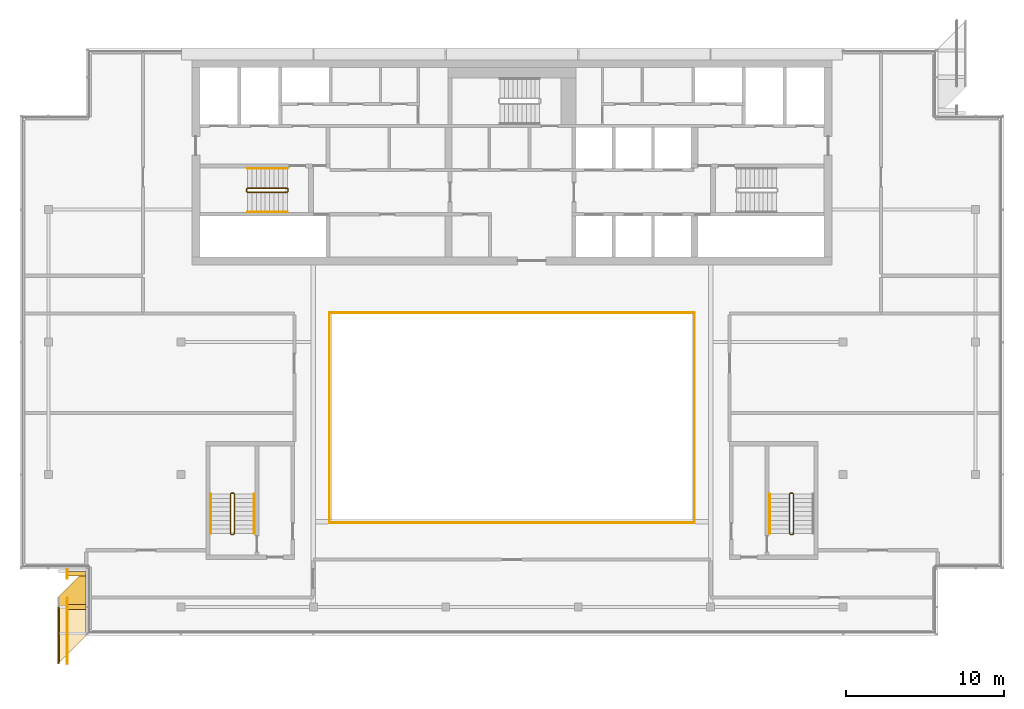
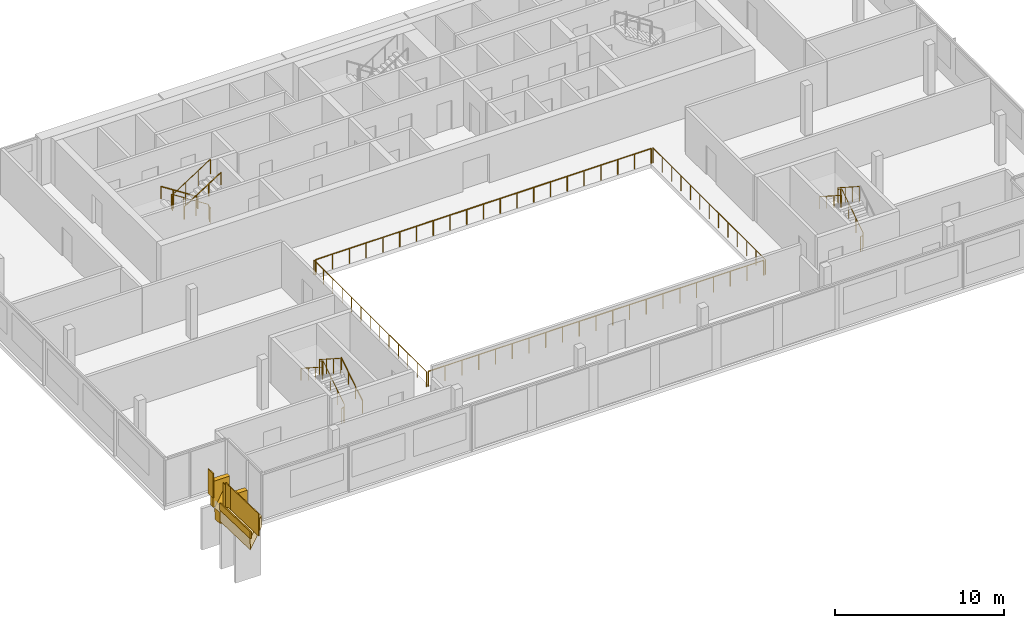
# One storey, part 17 of 19: 16 railings, 5 coverings.
"""IFC4 building model written with IfcOpenShell, lengths in metres."""

from ifc_helpers import new_model, si_unit, direction, frame, origin, origin_2d, place, context, subcontext, project, spatial, polyline, rectangle, circle, outline, extrude, material, layer, layer_set, type_object, element, save


model = new_model("IFC4")

# Units and contexts
model_context = context("Model", 3, precision=1e-05, world=origin(), true_north=direction((0.0, 1.0)))
body_context = subcontext(model_context, "Body", "Model", "MODEL_VIEW")
ifc_project = project(units=[si_unit("LENGTHUNIT", "METRE"), si_unit("AREAUNIT", "SQUARE_METRE"), si_unit("VOLUMEUNIT", "CUBIC_METRE"), si_unit("PLANEANGLEUNIT", "RADIAN"), si_unit("MASSUNIT", "GRAM", prefix="KILO")], contexts=[model_context])

# Site, building, storey
site_placement = place(None, origin())
site = spatial("IfcSite", under=ifc_project, at=site_placement, CompositionType="ELEMENT")
building_placement = place(site_placement, origin())
building = spatial("IfcBuilding", under=site, at=building_placement, Name="Saffron Gate Tower", CompositionType="ELEMENT")
storey_placement = place(building_placement, frame((0.0, 0.0, 306.75)))
storey = spatial("IfcBuildingStorey", under=building, at=storey_placement, Name="L75", CompositionType="ELEMENT", Elevation=306.75)

# Railings
ifc_material_1 = material(Name="Stainless steel and laminated glass", Category="steel")
railing_type_1 = type_object("IfcRailingType", Name="AG1 Atrium edge guard 1100", PredefinedType="GUARDRAIL", material=ifc_material_1)
railing_1_placement = place(storey_placement, frame((76.02001953125, 45.5400390625, 0.0)))
element("IfcRailing", 1, at=railing_1_placement, inside=storey, type_object=railing_type_1, Name="Guard E6-1", PredefinedType="GUARDRAIL", context=body_context, shape_type="SweptSolid", body=[
    extrude(circle(Radius=0.02392578125, at=origin_2d()), frame((0.0, 0.0, 1.076171875), z_axis=(0.0, 1.0, 0.0), x_axis=(-1.0, 0.0, 0.0)), (0.0, 0.0, 1.0), 13.320068359375),
    extrude(circle(Radius=0.02099609375, at=origin_2d()), origin(), (0.0, 0.0, 1.0), 1.052001953125),
    extrude(circle(Radius=0.02099609375, at=origin_2d()), frame((0.0, 1.110107421875, 0.0)), (0.0, 0.0, 1.0), 1.052001953125),
    extrude(circle(Radius=0.02099609375, at=origin_2d()), frame((0.0, 2.219970703125, 0.0)), (0.0, 0.0, 1.0), 1.052001953125),
    extrude(circle(Radius=0.02099609375, at=origin_2d()), frame((0.0, 3.330078125, 0.0)), (0.0, 0.0, 1.0), 1.052001953125),
    extrude(circle(Radius=0.02099609375, at=origin_2d()), frame((0.0, 4.43994140625, 0.0)), (0.0, 0.0, 1.0), 1.052001953125),
    extrude(circle(Radius=0.02099609375, at=origin_2d()), frame((0.0, 5.550048828125, 0.0)), (0.0, 0.0, 1.0), 1.052001953125),
    extrude(circle(Radius=0.02099609375, at=origin_2d()), frame((0.0, 6.66015625, 0.0)), (0.0, 0.0, 1.0), 1.052001953125),
    extrude(circle(Radius=0.02099609375, at=origin_2d()), frame((0.0, 7.77001953125, 0.0)), (0.0, 0.0, 1.0), 1.052001953125),
    extrude(circle(Radius=0.02099609375, at=origin_2d()), frame((0.0, 8.880126953125, 0.0)), (0.0, 0.0, 1.0), 1.052001953125),
    extrude(circle(Radius=0.02099609375, at=origin_2d()), frame((0.0, 9.989990234375, 0.0)), (0.0, 0.0, 1.0), 1.052001953125),
    extrude(circle(Radius=0.02099609375, at=origin_2d()), frame((0.0, 11.10009765625, 0.0)), (0.0, 0.0, 1.0), 1.052001953125),
    extrude(circle(Radius=0.02099609375, at=origin_2d()), frame((0.0, 12.2099609375, 0.0)), (0.0, 0.0, 1.0), 1.052001953125),
    extrude(circle(Radius=0.02099609375, at=origin_2d()), frame((0.0, 13.320068359375, 0.0)), (0.0, 0.0, 1.0), 1.052001953125),
])
railing_2_placement = place(storey_placement, frame((76.139892578125, 58.860107421875, 0.0)))
element("IfcRailing", 2, at=railing_2_placement, inside=storey, type_object=railing_type_1, Name="Guard E6-2", PredefinedType="GUARDRAIL", context=body_context, shape_type="SweptSolid", body=[
    extrude(circle(Radius=0.02392578125, at=origin_2d()), frame((0.0, 0.0, 1.076171875), z_axis=(1.0, 0.0, 0.0), x_axis=(0.0, 1.0, 0.0)), (0.0, 0.0, 1.0), 22.920166015625),
    extrude(circle(Radius=0.02099609375, at=origin_2d()), origin(), (0.0, 0.0, 1.0), 1.052001953125),
    extrude(circle(Radius=0.02099609375, at=origin_2d()), frame((1.14599609375, 0.0, 0.0)), (0.0, 0.0, 1.0), 1.052001953125),
    extrude(circle(Radius=0.02099609375, at=origin_2d()), frame((2.2919921875, 0.0, 0.0)), (0.0, 0.0, 1.0), 1.052001953125),
    extrude(circle(Radius=0.02099609375, at=origin_2d()), frame((3.43798828125, 0.0, 0.0)), (0.0, 0.0, 1.0), 1.052001953125),
    extrude(circle(Radius=0.02099609375, at=origin_2d()), frame((4.583984375, 0.0, 0.0)), (0.0, 0.0, 1.0), 1.052001953125),
    extrude(circle(Radius=0.02099609375, at=origin_2d()), frame((5.72998046875, 0.0, 0.0)), (0.0, 0.0, 1.0), 1.052001953125),
    extrude(circle(Radius=0.02099609375, at=origin_2d()), frame((6.8759765625, 0.0, 0.0)), (0.0, 0.0, 1.0), 1.052001953125),
    extrude(circle(Radius=0.02099609375, at=origin_2d()), frame((8.02197265625, 0.0, 0.0)), (0.0, 0.0, 1.0), 1.052001953125),
    extrude(circle(Radius=0.02099609375, at=origin_2d()), frame((9.16796875, 0.0, 0.0)), (0.0, 0.0, 1.0), 1.052001953125),
    extrude(circle(Radius=0.02099609375, at=origin_2d()), frame((10.31396484375, 0.0, 0.0)), (0.0, 0.0, 1.0), 1.052001953125),
    extrude(circle(Radius=0.02099609375, at=origin_2d()), frame((11.4599609375, 0.0, 0.0)), (0.0, 0.0, 1.0), 1.052001953125),
    extrude(circle(Radius=0.02099609375, at=origin_2d()), frame((12.606201171875, 0.0, 0.0)), (0.0, 0.0, 1.0), 1.052001953125),
    extrude(circle(Radius=0.02099609375, at=origin_2d()), frame((13.752197265625, 0.0, 0.0)), (0.0, 0.0, 1.0), 1.052001953125),
    extrude(circle(Radius=0.02099609375, at=origin_2d()), frame((14.898193359375, 0.0, 0.0)), (0.0, 0.0, 1.0), 1.052001953125),
    extrude(circle(Radius=0.02099609375, at=origin_2d()), frame((16.044189453125, 0.0, 0.0)), (0.0, 0.0, 1.0), 1.052001953125),
    extrude(circle(Radius=0.02099609375, at=origin_2d()), frame((17.190185546875, 0.0, 0.0)), (0.0, 0.0, 1.0), 1.052001953125),
    extrude(circle(Radius=0.02099609375, at=origin_2d()), frame((18.336181640625, 0.0, 0.0)), (0.0, 0.0, 1.0), 1.052001953125),
    extrude(circle(Radius=0.02099609375, at=origin_2d()), frame((19.482177734375, 0.0, 0.0)), (0.0, 0.0, 1.0), 1.052001953125),
    extrude(circle(Radius=0.02099609375, at=origin_2d()), frame((20.628173828125, 0.0, 0.0)), (0.0, 0.0, 1.0), 1.052001953125),
    extrude(circle(Radius=0.02099609375, at=origin_2d()), frame((21.774169921875, 0.0, 0.0)), (0.0, 0.0, 1.0), 1.052001953125),
    extrude(circle(Radius=0.02099609375, at=origin_2d()), frame((22.920166015625, 0.0, 0.0)), (0.0, 0.0, 1.0), 1.052001953125),
])
railing_3_placement = place(storey_placement, frame((99.179931640625, 58.860107421875, 0.0)))
element("IfcRailing", 3, at=railing_3_placement, inside=storey, type_object=railing_type_1, Name="Guard E6-3", PredefinedType="GUARDRAIL", context=body_context, shape_type="SweptSolid", body=[
    extrude(circle(Radius=0.02392578125, at=origin_2d()), frame((0.0, 0.0, 1.076171875), z_axis=(0.0, -1.0, 0.0), x_axis=(1.0, 0.0, 0.0)), (0.0, 0.0, 1.0), 13.320068359375),
    extrude(circle(Radius=0.02099609375, at=origin_2d()), origin(), (0.0, 0.0, 1.0), 1.052001953125),
    extrude(circle(Radius=0.02099609375, at=origin_2d()), frame((0.0, -1.110107421875, 0.0)), (0.0, 0.0, 1.0), 1.052001953125),
    extrude(circle(Radius=0.02099609375, at=origin_2d()), frame((0.0, -2.219970703125, 0.0)), (0.0, 0.0, 1.0), 1.052001953125),
    extrude(circle(Radius=0.02099609375, at=origin_2d()), frame((0.0, -3.330078125, 0.0)), (0.0, 0.0, 1.0), 1.052001953125),
    extrude(circle(Radius=0.02099609375, at=origin_2d()), frame((0.0, -4.43994140625, 0.0)), (0.0, 0.0, 1.0), 1.052001953125),
    extrude(circle(Radius=0.02099609375, at=origin_2d()), frame((0.0, -5.550048828125, 0.0)), (0.0, 0.0, 1.0), 1.052001953125),
    extrude(circle(Radius=0.02099609375, at=origin_2d()), frame((0.0, -6.66015625, 0.0)), (0.0, 0.0, 1.0), 1.052001953125),
    extrude(circle(Radius=0.02099609375, at=origin_2d()), frame((0.0, -7.77001953125, 0.0)), (0.0, 0.0, 1.0), 1.052001953125),
    extrude(circle(Radius=0.02099609375, at=origin_2d()), frame((0.0, -8.880126953125, 0.0)), (0.0, 0.0, 1.0), 1.052001953125),
    extrude(circle(Radius=0.02099609375, at=origin_2d()), frame((0.0, -9.989990234375, 0.0)), (0.0, 0.0, 1.0), 1.052001953125),
    extrude(circle(Radius=0.02099609375, at=origin_2d()), frame((0.0, -11.10009765625, 0.0)), (0.0, 0.0, 1.0), 1.052001953125),
    extrude(circle(Radius=0.02099609375, at=origin_2d()), frame((0.0, -12.2099609375, 0.0)), (0.0, 0.0, 1.0), 1.052001953125),
    extrude(circle(Radius=0.02099609375, at=origin_2d()), frame((0.0, -13.320068359375, 0.0)), (0.0, 0.0, 1.0), 1.052001953125),
])
railing_4_placement = place(storey_placement, frame((99.06005859375, 45.5400390625, 0.0)))
element("IfcRailing", 4, at=railing_4_placement, inside=storey, type_object=railing_type_1, Name="Guard E6-4", PredefinedType="GUARDRAIL", context=body_context, shape_type="SweptSolid", body=[
    extrude(circle(Radius=0.02392578125, at=origin_2d()), frame((0.0, 0.0, 1.076171875), z_axis=(-1.0, 0.0, 0.0), x_axis=(0.0, -1.0, 0.0)), (0.0, 0.0, 1.0), 22.920166015625),
    extrude(circle(Radius=0.02099609375, at=origin_2d()), origin(), (0.0, 0.0, 1.0), 1.052001953125),
    extrude(circle(Radius=0.02099609375, at=origin_2d()), frame((-1.14599609375, 0.0, 0.0)), (0.0, 0.0, 1.0), 1.052001953125),
    extrude(circle(Radius=0.02099609375, at=origin_2d()), frame((-2.2919921875, 0.0, 0.0)), (0.0, 0.0, 1.0), 1.052001953125),
    extrude(circle(Radius=0.02099609375, at=origin_2d()), frame((-3.43798828125, 0.0, 0.0)), (0.0, 0.0, 1.0), 1.052001953125),
    extrude(circle(Radius=0.02099609375, at=origin_2d()), frame((-4.583984375, 0.0, 0.0)), (0.0, 0.0, 1.0), 1.052001953125),
    extrude(circle(Radius=0.02099609375, at=origin_2d()), frame((-5.72998046875, 0.0, 0.0)), (0.0, 0.0, 1.0), 1.052001953125),
    extrude(circle(Radius=0.02099609375, at=origin_2d()), frame((-6.8759765625, 0.0, 0.0)), (0.0, 0.0, 1.0), 1.052001953125),
    extrude(circle(Radius=0.02099609375, at=origin_2d()), frame((-8.02197265625, 0.0, 0.0)), (0.0, 0.0, 1.0), 1.052001953125),
    extrude(circle(Radius=0.02099609375, at=origin_2d()), frame((-9.16796875, 0.0, 0.0)), (0.0, 0.0, 1.0), 1.052001953125),
    extrude(circle(Radius=0.02099609375, at=origin_2d()), frame((-10.31396484375, 0.0, 0.0)), (0.0, 0.0, 1.0), 1.052001953125),
    extrude(circle(Radius=0.02099609375, at=origin_2d()), frame((-11.4599609375, 0.0, 0.0)), (0.0, 0.0, 1.0), 1.052001953125),
    extrude(circle(Radius=0.02099609375, at=origin_2d()), frame((-12.606201171875, 0.0, 0.0)), (0.0, 0.0, 1.0), 1.052001953125),
    extrude(circle(Radius=0.02099609375, at=origin_2d()), frame((-13.752197265625, 0.0, 0.0)), (0.0, 0.0, 1.0), 1.052001953125),
    extrude(circle(Radius=0.02099609375, at=origin_2d()), frame((-14.898193359375, 0.0, 0.0)), (0.0, 0.0, 1.0), 1.052001953125),
    extrude(circle(Radius=0.02099609375, at=origin_2d()), frame((-16.044189453125, 0.0, 0.0)), (0.0, 0.0, 1.0), 1.052001953125),
    extrude(circle(Radius=0.02099609375, at=origin_2d()), frame((-17.190185546875, 0.0, 0.0)), (0.0, 0.0, 1.0), 1.052001953125),
    extrude(circle(Radius=0.02099609375, at=origin_2d()), frame((-18.336181640625, 0.0, 0.0)), (0.0, 0.0, 1.0), 1.052001953125),
    extrude(circle(Radius=0.02099609375, at=origin_2d()), frame((-19.482177734375, 0.0, 0.0)), (0.0, 0.0, 1.0), 1.052001953125),
    extrude(circle(Radius=0.02099609375, at=origin_2d()), frame((-20.628173828125, 0.0, 0.0)), (0.0, 0.0, 1.0), 1.052001953125),
    extrude(circle(Radius=0.02099609375, at=origin_2d()), frame((-21.774169921875, 0.0, 0.0)), (0.0, 0.0, 1.0), 1.052001953125),
    extrude(circle(Radius=0.02099609375, at=origin_2d()), frame((-22.920166015625, 0.0, 0.0)), (0.0, 0.0, 1.0), 1.052001953125),
])
railing_type_2 = type_object("IfcRailingType", Name="CR1 Stair guard 1100", PredefinedType="GUARDRAIL", material=ifc_material_1)
railing_5_placement = place(storey_placement, frame((73.39990234375, 66.550048828125, 0.0)))
element("IfcRailing", 5, at=railing_5_placement, inside=storey, type_object=railing_type_2, Name="L75 ST-A stair guard 1", PredefinedType="GUARDRAIL", context=body_context, shape_type="SweptSolid", body=[
    extrude(circle(Radius=0.02392578125, at=origin_2d()), frame((0.0, 0.0, 1.076171875), z_axis=(0.0, 1.0, 0.0), x_axis=(-1.0, 0.0, 0.0)), (0.0, 0.0, 1.0), 0.14990234375),
    extrude(circle(Radius=0.02392578125, at=origin_2d()), frame((0.0, 0.14990234375, 1.076171875), z_axis=(-0.257669022063, 0.258932105505, 0.930892496375), x_axis=(-0.708833529934, -0.705375805398, 0.0)), (0.0, 0.0, 1.0), 0.193359375),
    extrude(circle(Radius=0.02392578125, at=origin_2d()), frame((-0.0498046875, 0.199951171875, 1.255859375), z_axis=(-0.841162588446, 0.0, 0.540782303519), x_axis=(0.0, -1.0, 0.0)), (0.0, 0.0, 1.0), 2.995849609375),
    extrude(circle(Radius=0.02392578125, at=origin_2d()), frame((-2.56982421875, 0.199951171875, 2.8759765625), z_axis=(-0.707106781187, -0.707106781187, 0.0), x_axis=(0.707106781187, -0.707106781187, 0.0)), (0.0, 0.0, 1.0), 0.07080078125),
    extrude(circle(Radius=0.02392578125, at=origin_2d()), frame((-2.619873046875, 0.14990234375, 2.8759765625), z_axis=(0.0, -1.0, 0.0), x_axis=(1.0, 0.0, 0.0)), (0.0, 0.0, 1.0), 0.14990234375),
    extrude(circle(Radius=0.02392578125, at=origin_2d()), frame((-2.619873046875, 0.0, 2.8759765625), z_axis=(0.258847668887, -0.258847668887, 0.930588936439), x_axis=(0.707106781187, 0.707106781187, 0.0)), (0.0, 0.0, 1.0), 0.193359375),
    extrude(circle(Radius=0.02392578125, at=origin_2d()), frame((-2.56982421875, -0.050048828125, 3.05615234375), z_axis=(0.841162588446, 0.0, 0.540782303519), x_axis=(0.0, 1.0, 0.0)), (0.0, 0.0, 1.0), 2.995849609375),
    extrude(circle(Radius=0.02099609375, at=origin_2d()), origin(), (0.0, 0.0, 1.0), 1.052001953125),
    extrude(circle(Radius=0.02099609375, at=origin_2d()), frame((0.0, 0.14990234375, 0.0)), (0.0, 0.0, 1.0), 1.052001953125),
    extrude(circle(Radius=0.02099609375, at=origin_2d()), frame((-0.0498046875, 0.199951171875, 0.179931640625)), (0.0, 0.0, 1.0), 1.052001953125),
    extrude(circle(Radius=0.02099609375, at=origin_2d()), frame((-0.889892578125, 0.199951171875, 0.719970703125)), (0.0, 0.0, 1.0), 1.052001953125),
    extrude(circle(Radius=0.02099609375, at=origin_2d()), frame((-1.729736328125, 0.199951171875, 1.260009765625)), (0.0, 0.0, 1.0), 1.052001953125),
    extrude(circle(Radius=0.02099609375, at=origin_2d()), frame((-2.56982421875, 0.199951171875, 1.800048828125)), (0.0, 0.0, 1.0), 1.052001953125),
    extrude(circle(Radius=0.02099609375, at=origin_2d()), frame((-2.619873046875, 0.14990234375, 1.800048828125)), (0.0, 0.0, 1.0), 1.052001953125),
    extrude(circle(Radius=0.02099609375, at=origin_2d()), frame((-2.619873046875, 0.0, 1.800048828125)), (0.0, 0.0, 1.0), 1.052001953125),
    extrude(circle(Radius=0.02099609375, at=origin_2d()), frame((-2.56982421875, -0.050048828125, 1.97998046875)), (0.0, 0.0, 1.0), 1.052001953125),
    extrude(circle(Radius=0.02099609375, at=origin_2d()), frame((-1.729736328125, -0.050048828125, 2.52001953125)), (0.0, 0.0, 1.0), 1.052001953125),
    extrude(circle(Radius=0.02099609375, at=origin_2d()), frame((-0.889892578125, -0.050048828125, 3.06005859375)), (0.0, 0.0, 1.0), 1.052001953125),
    extrude(circle(Radius=0.02099609375, at=origin_2d()), frame((-0.0498046875, -0.050048828125, 3.60009765625)), (0.0, 0.0, 1.0), 1.052001953125),
])
railing_6_placement = place(storey_placement, frame((69.800048828125, 44.800048828125, 0.0)))
element("IfcRailing", 6, at=railing_6_placement, inside=storey, type_object=railing_type_2, Name="L75 ST-D stair guard 1", PredefinedType="GUARDRAIL", context=body_context, shape_type="SweptSolid", body=[
    extrude(circle(Radius=0.02392578125, at=origin_2d()), frame((0.0, 0.0, 1.076171875), z_axis=(1.0, 0.0, 0.0), x_axis=(0.0, 1.0, 0.0)), (0.0, 0.0, 1.0), 0.14990234375),
    extrude(circle(Radius=0.02392578125, at=origin_2d()), frame((0.14990234375, 0.0, 1.076171875), z_axis=(0.258847668887, 0.258847668887, 0.930588936439), x_axis=(-0.707106781187, 0.707106781187, 0.0)), (0.0, 0.0, 1.0), 0.193359375),
    extrude(circle(Radius=0.02392578125, at=origin_2d()), frame((0.199951171875, 0.050048828125, 1.255859375), z_axis=(0.0, 0.841162588446, 0.540782303519), x_axis=(-1.0, 0.0, 0.0)), (0.0, 0.0, 1.0), 2.995849609375),
    extrude(circle(Radius=0.02392578125, at=origin_2d()), frame((0.199951171875, 2.570068359375, 2.8759765625), z_axis=(-0.708833529934, 0.705375805398, 0.0), x_axis=(-0.705375805398, -0.708833529934, 0.0)), (0.0, 0.0, 1.0), 0.070556640625),
    extrude(circle(Radius=0.02392578125, at=origin_2d()), frame((0.14990234375, 2.619873046875, 2.8759765625), z_axis=(-1.0, 0.0, 0.0), x_axis=(0.0, -1.0, 0.0)), (0.0, 0.0, 1.0), 0.14990234375),
    extrude(circle(Radius=0.02392578125, at=origin_2d()), frame((0.0, 2.619873046875, 2.8759765625), z_axis=(-0.258932105505, -0.257669022063, 0.930892496375), x_axis=(0.705375805398, -0.708833529934, 0.0)), (0.0, 0.0, 1.0), 0.193359375),
    extrude(circle(Radius=0.02392578125, at=origin_2d()), frame((-0.050048828125, 2.570068359375, 3.05615234375), z_axis=(0.0, -0.841162588446, 0.540782303519), x_axis=(1.0, 0.0, 0.0)), (0.0, 0.0, 1.0), 2.995849609375),
    extrude(circle(Radius=0.02099609375, at=origin_2d()), origin(), (0.0, 0.0, 1.0), 1.052001953125),
    extrude(circle(Radius=0.02099609375, at=origin_2d()), frame((0.14990234375, 0.0, 0.0)), (0.0, 0.0, 1.0), 1.052001953125),
    extrude(circle(Radius=0.02099609375, at=origin_2d()), frame((0.199951171875, 0.050048828125, 0.179931640625)), (0.0, 0.0, 1.0), 1.052001953125),
    extrude(circle(Radius=0.02099609375, at=origin_2d()), frame((0.199951171875, 0.89013671875, 0.719970703125)), (0.0, 0.0, 1.0), 1.052001953125),
    extrude(circle(Radius=0.02099609375, at=origin_2d()), frame((0.199951171875, 1.72998046875, 1.260009765625)), (0.0, 0.0, 1.0), 1.052001953125),
    extrude(circle(Radius=0.02099609375, at=origin_2d()), frame((0.199951171875, 2.570068359375, 1.800048828125)), (0.0, 0.0, 1.0), 1.052001953125),
    extrude(circle(Radius=0.02099609375, at=origin_2d()), frame((0.14990234375, 2.619873046875, 1.800048828125)), (0.0, 0.0, 1.0), 1.052001953125),
    extrude(circle(Radius=0.02099609375, at=origin_2d()), frame((0.0, 2.619873046875, 1.800048828125)), (0.0, 0.0, 1.0), 1.052001953125),
    extrude(circle(Radius=0.02099609375, at=origin_2d()), frame((-0.050048828125, 2.570068359375, 1.97998046875)), (0.0, 0.0, 1.0), 1.052001953125),
    extrude(circle(Radius=0.02099609375, at=origin_2d()), frame((-0.050048828125, 1.72998046875, 2.52001953125)), (0.0, 0.0, 1.0), 1.052001953125),
    extrude(circle(Radius=0.02099609375, at=origin_2d()), frame((-0.050048828125, 0.89013671875, 3.06005859375)), (0.0, 0.0, 1.0), 1.052001953125),
    extrude(circle(Radius=0.02099609375, at=origin_2d()), frame((-0.050048828125, 0.050048828125, 3.60009765625)), (0.0, 0.0, 1.0), 1.052001953125),
])
railing_7_placement = place(storey_placement, frame((105.25, 44.800048828125, 0.0)))
element("IfcRailing", 7, at=railing_7_placement, inside=storey, type_object=railing_type_2, Name="L75 ST-E stair guard 1", PredefinedType="GUARDRAIL", context=body_context, shape_type="SweptSolid", body=[
    extrude(circle(Radius=0.02392578125, at=origin_2d()), frame((0.0, 0.0, 1.076171875), z_axis=(1.0, 0.0, 0.0), x_axis=(0.0, 1.0, 0.0)), (0.0, 0.0, 1.0), 0.14990234375),
    extrude(circle(Radius=0.02392578125, at=origin_2d()), frame((0.14990234375, 0.0, 1.076171875), z_axis=(0.258847668887, 0.258847668887, 0.930588936439), x_axis=(-0.707106781187, 0.707106781187, 0.0)), (0.0, 0.0, 1.0), 0.193359375),
    extrude(circle(Radius=0.02392578125, at=origin_2d()), frame((0.199951171875, 0.050048828125, 1.255859375), z_axis=(0.0, 0.841162588446, 0.540782303519), x_axis=(-1.0, 0.0, 0.0)), (0.0, 0.0, 1.0), 2.995849609375),
    extrude(circle(Radius=0.02392578125, at=origin_2d()), frame((0.199951171875, 2.570068359375, 2.8759765625), z_axis=(-0.708833529934, 0.705375805398, 0.0), x_axis=(-0.705375805398, -0.708833529934, 0.0)), (0.0, 0.0, 1.0), 0.070556640625),
    extrude(circle(Radius=0.02392578125, at=origin_2d()), frame((0.14990234375, 2.619873046875, 2.8759765625), z_axis=(-1.0, 0.0, 0.0), x_axis=(0.0, -1.0, 0.0)), (0.0, 0.0, 1.0), 0.14990234375),
    extrude(circle(Radius=0.02392578125, at=origin_2d()), frame((0.0, 2.619873046875, 2.8759765625), z_axis=(-0.258932105505, -0.257669022063, 0.930892496375), x_axis=(0.705375805398, -0.708833529934, 0.0)), (0.0, 0.0, 1.0), 0.193359375),
    extrude(circle(Radius=0.02392578125, at=origin_2d()), frame((-0.050048828125, 2.570068359375, 3.05615234375), z_axis=(0.0, -0.841162588446, 0.540782303519), x_axis=(1.0, 0.0, 0.0)), (0.0, 0.0, 1.0), 2.995849609375),
    extrude(circle(Radius=0.02099609375, at=origin_2d()), origin(), (0.0, 0.0, 1.0), 1.052001953125),
    extrude(circle(Radius=0.02099609375, at=origin_2d()), frame((0.14990234375, 0.0, 0.0)), (0.0, 0.0, 1.0), 1.052001953125),
    extrude(circle(Radius=0.02099609375, at=origin_2d()), frame((0.199951171875, 0.050048828125, 0.179931640625)), (0.0, 0.0, 1.0), 1.052001953125),
    extrude(circle(Radius=0.02099609375, at=origin_2d()), frame((0.199951171875, 0.89013671875, 0.719970703125)), (0.0, 0.0, 1.0), 1.052001953125),
    extrude(circle(Radius=0.02099609375, at=origin_2d()), frame((0.199951171875, 1.72998046875, 1.260009765625)), (0.0, 0.0, 1.0), 1.052001953125),
    extrude(circle(Radius=0.02099609375, at=origin_2d()), frame((0.199951171875, 2.570068359375, 1.800048828125)), (0.0, 0.0, 1.0), 1.052001953125),
    extrude(circle(Radius=0.02099609375, at=origin_2d()), frame((0.14990234375, 2.619873046875, 1.800048828125)), (0.0, 0.0, 1.0), 1.052001953125),
    extrude(circle(Radius=0.02099609375, at=origin_2d()), frame((0.0, 2.619873046875, 1.800048828125)), (0.0, 0.0, 1.0), 1.052001953125),
    extrude(circle(Radius=0.02099609375, at=origin_2d()), frame((-0.050048828125, 2.570068359375, 1.97998046875)), (0.0, 0.0, 1.0), 1.052001953125),
    extrude(circle(Radius=0.02099609375, at=origin_2d()), frame((-0.050048828125, 1.72998046875, 2.52001953125)), (0.0, 0.0, 1.0), 1.052001953125),
    extrude(circle(Radius=0.02099609375, at=origin_2d()), frame((-0.050048828125, 0.89013671875, 3.06005859375)), (0.0, 0.0, 1.0), 1.052001953125),
    extrude(circle(Radius=0.02099609375, at=origin_2d()), frame((-0.050048828125, 0.050048828125, 3.60009765625)), (0.0, 0.0, 1.0), 1.052001953125),
])
ifc_material_2 = material(Name="Stainless steel", Category="steel")
railing_type_3 = type_object("IfcRailingType", Name="CR2 Stair handrail 900", PredefinedType="HANDRAIL", material=ifc_material_2)
railing_8_placement = place(storey_placement, frame((73.35009765625, 68.0, 0.179931640625)))
element("IfcRailing", 8, at=railing_8_placement, inside=storey, type_object=railing_type_3, Name="L75 ST-A stair handrail 1", PredefinedType="HANDRAIL", context=body_context, shape_type="SweptSolid", body=[
    extrude(circle(Radius=0.02392578125, at=origin_2d()), frame((0.0, 0.0, 0.8759765625), z_axis=(-0.841162588446, 0.0, 0.540782303519), x_axis=(0.0, -1.0, 0.0)), (0.0, 0.0, 1.0), 2.995849609375),
    extrude(circle(Radius=0.02099609375, at=origin_2d()), origin(), (0.0, 0.0, 1.0), 0.851806640625),
    extrude(circle(Radius=0.02099609375, at=origin_2d()), frame((-0.840087890625, 0.0, 0.5400390625)), (0.0, 0.0, 1.0), 0.851806640625),
    extrude(circle(Radius=0.02099609375, at=origin_2d()), frame((-1.679931640625, 0.0, 1.080078125)), (0.0, 0.0, 1.0), 0.851806640625),
    extrude(circle(Radius=0.02099609375, at=origin_2d()), frame((-2.52001953125, 0.0, 1.6201171875)), (0.0, 0.0, 1.0), 0.851806640625),
])
railing_9_placement = place(storey_placement, frame((70.830078125, 65.25, 1.97998046875)))
element("IfcRailing", 9, at=railing_9_placement, inside=storey, type_object=railing_type_3, Name="L75 ST-A stair handrail 2", PredefinedType="HANDRAIL", context=body_context, shape_type="SweptSolid", body=[
    extrude(circle(Radius=0.02392578125, at=origin_2d()), frame((0.0, 0.0, 0.8759765625), z_axis=(0.841162588446, 0.0, 0.540782303519), x_axis=(0.0, 1.0, 0.0)), (0.0, 0.0, 1.0), 2.995849609375),
    extrude(circle(Radius=0.02099609375, at=origin_2d()), origin(), (0.0, 0.0, 1.0), 0.851806640625),
    extrude(circle(Radius=0.02099609375, at=origin_2d()), frame((0.840087890625, 0.0, 0.5400390625)), (0.0, 0.0, 1.0), 0.851806640625),
    extrude(circle(Radius=0.02099609375, at=origin_2d()), frame((1.679931640625, 0.0, 1.080078125)), (0.0, 0.0, 1.0), 0.851806640625),
    extrude(circle(Radius=0.02099609375, at=origin_2d()), frame((2.52001953125, 0.0, 1.6201171875)), (0.0, 0.0, 1.0), 0.851806640625),
])
railing_10_placement = place(storey_placement, frame((71.25, 44.85009765625, 0.179931640625)))
element("IfcRailing", 10, at=railing_10_placement, inside=storey, type_object=railing_type_3, Name="L75 ST-D stair handrail 1", PredefinedType="HANDRAIL", context=body_context, shape_type="SweptSolid", body=[
    extrude(circle(Radius=0.02392578125, at=origin_2d()), frame((0.0, 0.0, 0.8759765625), z_axis=(0.0, 0.841162588446, 0.540782303519), x_axis=(-1.0, 0.0, 0.0)), (0.0, 0.0, 1.0), 2.995849609375),
    extrude(circle(Radius=0.02099609375, at=origin_2d()), origin(), (0.0, 0.0, 1.0), 0.851806640625),
    extrude(circle(Radius=0.02099609375, at=origin_2d()), frame((0.0, 0.840087890625, 0.5400390625)), (0.0, 0.0, 1.0), 0.851806640625),
    extrude(circle(Radius=0.02099609375, at=origin_2d()), frame((0.0, 1.679931640625, 1.080078125)), (0.0, 0.0, 1.0), 0.851806640625),
    extrude(circle(Radius=0.02099609375, at=origin_2d()), frame((0.0, 2.52001953125, 1.6201171875)), (0.0, 0.0, 1.0), 0.851806640625),
])
for number, where, name in (
    (11, (68.5, 47.3701171875, 1.97998046875), "L75 ST-D stair handrail 2"),
    (12, (103.949951171875, 47.3701171875, 1.97998046875), "L75 ST-E stair handrail 2"),
):
    element("IfcRailing", number, at=place(storey_placement, frame(where)), inside=storey, type_object=railing_type_3, Name=name, PredefinedType="HANDRAIL", context=body_context, shape_type="SweptSolid", body=[
        extrude(circle(Radius=0.02392578125, at=origin_2d()), frame((0.0, 0.0, 0.8759765625), z_axis=(0.0, -0.841162588446, 0.540782303519), x_axis=(1.0, 0.0, 0.0)), (0.0, 0.0, 1.0), 2.995849609375),
        extrude(circle(Radius=0.02099609375, at=origin_2d()), origin(), (0.0, 0.0, 1.0), 0.851806640625),
        extrude(circle(Radius=0.02099609375, at=origin_2d()), frame((0.0, -0.840087890625, 0.5400390625)), (0.0, 0.0, 1.0), 0.851806640625),
        extrude(circle(Radius=0.02099609375, at=origin_2d()), frame((0.0, -1.679931640625, 1.080078125)), (0.0, 0.0, 1.0), 0.851806640625),
        extrude(circle(Radius=0.02099609375, at=origin_2d()), frame((0.0, -2.52001953125, 1.6201171875)), (0.0, 0.0, 1.0), 0.851806640625),
    ])

# Coverings
ifc_material_3 = material(Name="Timber, thermally modified ash", Category="wood")
ifc_layer_1 = layer(ifc_material_3, 0.800048828125)
ifc_layer_set_1 = layer_set([ifc_layer_1], Name="LD1 ledge timber")
covering_type_1 = type_object("IfcCoveringType", Name="LD1 ledge timber", PredefinedType="CLADDING", material=ifc_layer_set_1)
covering_1_placement = place(storey_placement, frame((60.60009765625, 42.60009765625, 0.10986328125), z_axis=(-2.6333678e-05, 0.028794305201, 0.999585357683), x_axis=(-5.2e-10, -0.99958535803, 0.028794305211)))
element("IfcCovering", 13, at=covering_1_placement, inside=storey, type_object=covering_type_1, Name="LEDGE", PredefinedType="CLADDING", context=body_context, shape_type="SweptSolid", body=[
    extrude(outline(polyline([(0.0, 0.0), (2.401140733194568, 0.0), (2.4011407341303483, -1.8000488275008664), (1.8007927835182762, -1.8000488290612322), (0.0, 0.0)])), origin(), (0.0, 0.0, -1.0), 0.800048828125),
])
covering_2_placement = place(storey_placement, frame((60.60009765625, 40.199951171875, 0.365966796875), z_axis=(4.6492774e-05, 0.028788135707, 0.99958553465), x_axis=(2.161e-09, -0.99958553573, 0.028788135738)))
element("IfcCovering", 14, at=covering_2_placement, inside=storey, type_object=covering_type_1, Name="LEDGE", PredefinedType="CLADDING", context=body_context, shape_type="SweptSolid", body=[
    extrude(outline(polyline([(0.0, 0.0), (1.8007927831333284, -4.235164736271502e-22), (3.6013485512933356, -1.8000488378518529), (-3.889338571966608e-09, -1.8000488261795269), (0.0, 0.0)])), origin(), (0.0, 0.0, -1.0), 0.800048828125),
])
ifc_layer_2 = layer(ifc_material_3, 0.080078125)
ifc_layer_set_2 = layer_set([ifc_layer_2], Name="LD2 ledge planter trough")
covering_type_2 = type_object("IfcCoveringType", Name="LD2 ledge planter trough", PredefinedType="CLADDING", material=ifc_layer_set_2)
covering_3_placement = place(storey_placement, frame((58.800048828125, 40.199951171875, 0.365966796875), z_axis=(-1.0, 0.0, 0.0), x_axis=(0.0, -0.999584866472, 0.028811364412)))
element("IfcCovering", 15, at=covering_3_placement, inside=storey, type_object=covering_type_2, Name="LEDGE planter trough", PredefinedType="CLADDING", context=body_context, shape_type="SweptSolid", body=[
    extrude(outline(polyline([(0.0, 0.0), (3.601348556155073, 0.0), (3.6157542383609322, 0.49979243323622236), (0.01440568220585924, 0.49979243323622236), (0.0, 0.0)])), origin(), (0.0, 0.0, -1.0), 0.080078125),
])
ifc_layer_3 = layer(ifc_material_3, 0.300048828125)
ifc_layer_set_3 = layer_set([ifc_layer_3], Name="LD3 ledge riser fin")
covering_type_3 = type_object("IfcCoveringType", Name="LD3 ledge riser fin", PredefinedType="CLADDING", material=ifc_layer_set_3)
for number, where, z_axis, x_axis, name in (
    (16, (60.0400390625, 42.300048828125, -0.876953125), (0.0, 0.0, 1.0), (0.0, -1.0, 0.0), "LEDGE riser fin"),
    (17, (60.0400390625, 40.199951171875, -0.62109375), (0.0, 0.0, 1.0), (0.0, -1.0, 0.0), "LEDGE riser fin"),
):
    element("IfcCovering", number, at=place(storey_placement, frame(where, z_axis=z_axis, x_axis=x_axis)), inside=storey, type_object=covering_type_3, Name=name, PredefinedType="CLADDING", context=body_context, shape_type="SweptSolid", body=[
        extrude(rectangle(XDim=0.300048828125, YDim=1.1201171875, at=origin_2d()), origin(), (0.0, 0.0, 1.0), 1.886962890625),
    ])

# Railings
railing_type_4 = type_object("IfcRailingType", Name="LG1 ledge balustrade", PredefinedType="BALUSTRADE", material=ifc_material_3)
railing_11_placement = place(storey_placement, frame((59.39990234375, 40.800048828125, 0.16162109375)))
element("IfcRailing", 18, at=railing_11_placement, inside=storey, type_object=railing_type_4, Name="LEDGE BALUSTRADE", PredefinedType="BALUSTRADE", context=body_context, shape_type="SweptSolid", body=[
    extrude(rectangle(XDim=0.06005859375, YDim=1.60009765625, at=origin_2d()), frame((0.0, 0.0, 0.800048828125), z_axis=(0.0, -0.999583081391, 0.028873229772), x_axis=(1.0, 0.0, 0.0)), (0.0, 0.0, 1.0), 0.600341796875),
])
railing_12_placement = place(storey_placement, frame((59.39990234375, 42.60009765625, -0.0771484375)))
element("IfcRailing", 19, at=railing_12_placement, inside=storey, type_object=railing_type_4, Name="LEDGE BALUSTRADE", PredefinedType="BALUSTRADE", context=body_context, shape_type="SweptSolid", body=[
    extrude(rectangle(XDim=0.06005859375, YDim=1.787109375, at=origin_2d()), frame((0.0, 0.0, 0.8935546875), z_axis=(0.0, -1.0, 0.0), x_axis=(1.0, 0.0, 0.0)), (0.0, 0.0, 1.0), 0.60009765625),
])
railing_13_placement = place(storey_placement, frame((59.39990234375, 40.199951171875, 0.365966796875)))
element("IfcRailing", 20, at=railing_13_placement, inside=storey, type_object=railing_type_4, Name="LEDGE BALUSTRADE", PredefinedType="BALUSTRADE", context=body_context, shape_type="SweptSolid", body=[
    extrude(rectangle(XDim=0.06005859375, YDim=1.60009765625, at=origin_2d()), frame((0.0, 0.0, 0.800048828125), z_axis=(0.0, -0.999584866472, 0.028811364412), x_axis=(1.0, 0.0, 0.0)), (0.0, 0.0, 1.0), 3.601318359375),
])
railing_14_placement = place(storey_placement, frame((59.39990234375, 40.5, 0.178955078125)))
element("IfcRailing", 21, at=railing_14_placement, inside=storey, type_object=railing_type_4, Name="LEDGE BALUSTRADE", PredefinedType="BALUSTRADE", context=body_context, shape_type="SweptSolid", body=[
    extrude(rectangle(XDim=0.06005859375, YDim=1.787109375, at=origin_2d()), frame((0.0, 0.0, 0.8935546875), z_axis=(0.0, -1.0, 0.0), x_axis=(1.0, 0.0, 0.0)), (0.0, 0.0, 1.0), 0.60009765625),
])

save(model, "model.ifc")
